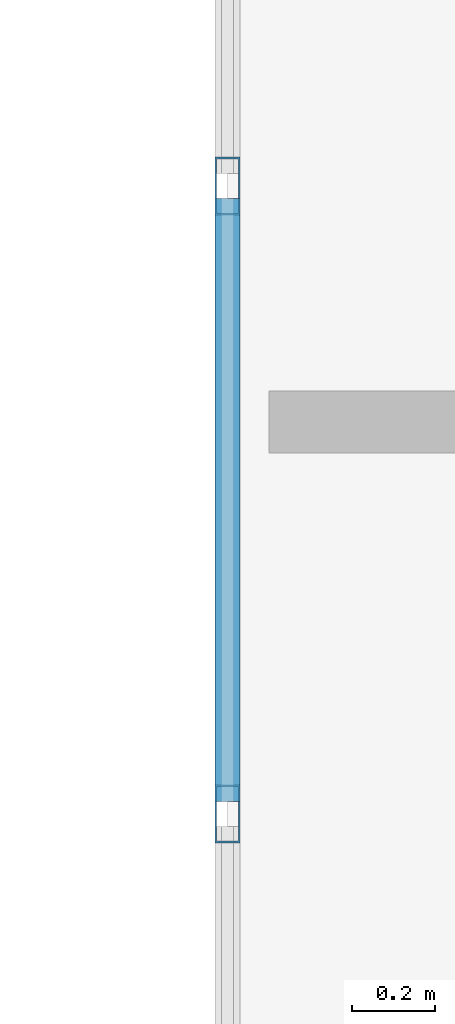
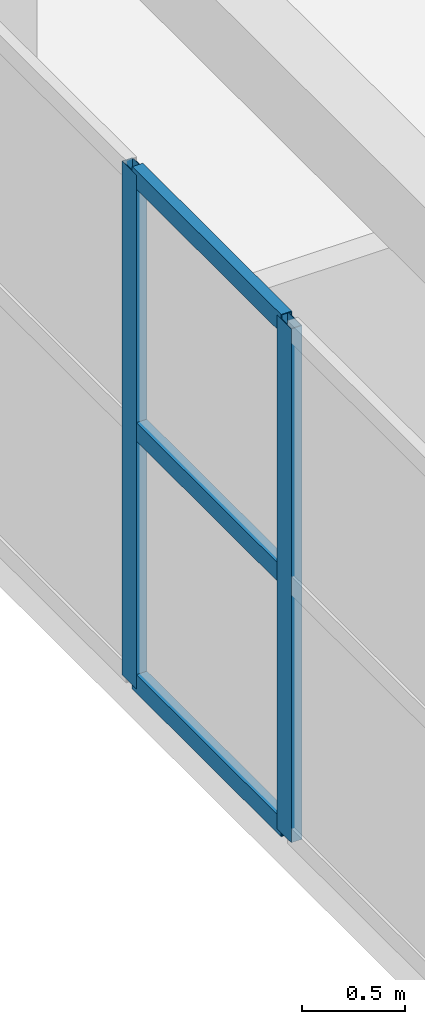
# One storey, part 20 of 148: 5 members, 1 element without a shape of its own.
"""IFC4 building model written with IfcOpenShell, lengths in metres."""

from ifc_helpers import new_model, si_unit, direction, frame, origin, origin_2d, place, context, subcontext, project, spatial, hollow_rectangle, extrude, material, layer, layer_set, material_profile, profile_set, type_object, element, aggregate, save


model = new_model("IFC4")

# Units and contexts
model_context = context("Model", 3, precision=1e-05, world=origin(), true_north=direction((0.0, 1.0)))
body_context = subcontext(model_context, "Body", "Model", "MODEL_VIEW")
ifc_project = project(units=[si_unit("LENGTHUNIT", "METRE"), si_unit("AREAUNIT", "SQUARE_METRE"), si_unit("VOLUMEUNIT", "CUBIC_METRE"), si_unit("PLANEANGLEUNIT", "RADIAN"), si_unit("MASSUNIT", "GRAM", prefix="KILO")], contexts=[model_context])

# Site, building, storey
site_placement = place(None, origin())
site = spatial("IfcSite", under=ifc_project, at=site_placement, CompositionType="ELEMENT")
building_placement = place(site_placement, origin())
building = spatial("IfcBuilding", under=site, at=building_placement, Name="Trelvath General Hospital", CompositionType="ELEMENT")
storey_placement = place(building_placement, frame((0.0, 0.0, 12.89990234375)))
storey = spatial("IfcBuildingStorey", under=building, at=storey_placement, Name="L03", CompositionType="ELEMENT", Elevation=12.89990234375)

# Curtain wall, members
ifc_material_1 = material(Name="Anodised aluminium and low-E glass", Category="aluminium")
ifc_layer = layer(ifc_material_1, 0.14990234375)
ifc_layer_set = layer_set([ifc_layer], Name="Anodised aluminium and low-E glass")
curtain_wall_type = type_object("IfcCurtainWallType", Name="CW CrystalCube 1664 306 15", PredefinedType="USERDEFINED", material=ifc_layer_set)
curtain_wall_placement = place(storey_placement, origin())
curtain_wall = element("IfcCurtainWall", 1, at=curtain_wall_placement, inside=storey, type_object=curtain_wall_type, Name="Crystal Cube Curtain Wall CUBE-W-T1 W3 L03", ObjectType="Unitised Glazed Curtain Wall", PredefinedType="USERDEFINED")
ifc_material_2 = material(Name="Anodised aluminium", Category="aluminium")
ifc_material_profile_1 = material_profile(ifc_material_2, hollow_rectangle(XDim=0.06005859375, YDim=0.139892578125, WallThickness=0.00390625, at=origin_2d()), Name="RHS60x140x4")
ifc_profile_set_1 = profile_set([ifc_material_profile_1], Name="Anodised aluminium")
member_type_1 = type_object("IfcMemberType", Name="CurtainMullion 60x140", PredefinedType="MULLION", material=ifc_profile_set_1)
member_1_placement = place(storey_placement, frame((53.199951171875, 53.50537109375, 0.0), z_axis=(0.0, 0.0, 1.0), x_axis=(-1.0, 0.0, 0.0)))
member_1 = element("IfcMember", 2, at=member_1_placement, type_object=member_type_1, Name="CW-239 mullion 3", PredefinedType="MULLION", context=body_context, shape_type="SweptSolid", body=[
    extrude(hollow_rectangle(XDim=0.06005859375, YDim=0.139892578125, WallThickness=0.00390625, at=origin_2d()), origin(), (0.0, 0.0, 1.0), 3.06005859375),
])
member_2_placement = place(storey_placement, frame((53.199951171875, 55.01806640625, 0.0), z_axis=(0.0, 0.0, 1.0), x_axis=(-1.0, 0.0, 0.0)))
member_2 = element("IfcMember", 3, at=member_2_placement, type_object=member_type_1, Name="CW-239 mullion 4", PredefinedType="MULLION", context=body_context, shape_type="SweptSolid", body=[
    extrude(hollow_rectangle(XDim=0.06005859375, YDim=0.139892578125, WallThickness=0.00390625, at=origin_2d()), origin(), (0.0, 0.0, 1.0), 3.06005859375),
])
ifc_material_3 = material(Name="Anodised aluminium", Category="aluminium")
ifc_material_profile_2 = material_profile(ifc_material_3, hollow_rectangle(XDim=0.06005859375, YDim=0.110107421875, WallThickness=0.00390625, at=origin_2d()), Name="RHS60x110x4")
ifc_profile_set_2 = profile_set([ifc_material_profile_2], Name="Anodised aluminium")
member_type_2 = type_object("IfcMemberType", Name="CurtainTransom 60x110", PredefinedType="USERDEFINED", material=ifc_profile_set_2)
member_3_placement = place(storey_placement, frame((53.199951171875, 53.535400390625, 0.030029296875), z_axis=(0.0, 1.0, 0.0), x_axis=(-1.0, 0.0, 0.0)))
member_3 = element("IfcMember", 4, at=member_3_placement, type_object=member_type_2, Name="CW-239 transom 3.1", ObjectType="TRANSOM", PredefinedType="USERDEFINED", context=body_context, shape_type="SweptSolid", body=[
    extrude(hollow_rectangle(XDim=0.06005859375, YDim=0.110107421875, WallThickness=0.00390625, at=origin_2d()), origin(), (0.0, 0.0, 1.0), 1.452880859375),
])
member_4_placement = place(storey_placement, frame((53.199951171875, 53.535400390625, 1.530029296875), z_axis=(0.0, 1.0, 0.0), x_axis=(-1.0, 0.0, 0.0)))
member_4 = element("IfcMember", 5, at=member_4_placement, type_object=member_type_2, Name="CW-239 transom 3.2", ObjectType="TRANSOM", PredefinedType="USERDEFINED", context=body_context, shape_type="SweptSolid", body=[
    extrude(hollow_rectangle(XDim=0.06005859375, YDim=0.110107421875, WallThickness=0.00390625, at=origin_2d()), origin(), (0.0, 0.0, 1.0), 1.452880859375),
])
member_5_placement = place(storey_placement, frame((53.199951171875, 53.535400390625, 3.030029296875), z_axis=(0.0, 1.0, 0.0), x_axis=(-1.0, 0.0, 0.0)))
member_5 = element("IfcMember", 6, at=member_5_placement, type_object=member_type_2, Name="CW-239 transom 3.3", ObjectType="TRANSOM", PredefinedType="USERDEFINED", context=body_context, shape_type="SweptSolid", body=[
    extrude(hollow_rectangle(XDim=0.06005859375, YDim=0.110107421875, WallThickness=0.00390625, at=origin_2d()), origin(), (0.0, 0.0, 1.0), 1.452880859375),
])
aggregate(curtain_wall, [member_1, member_2, member_3, member_4, member_5])

save(model, "model.ifc")
